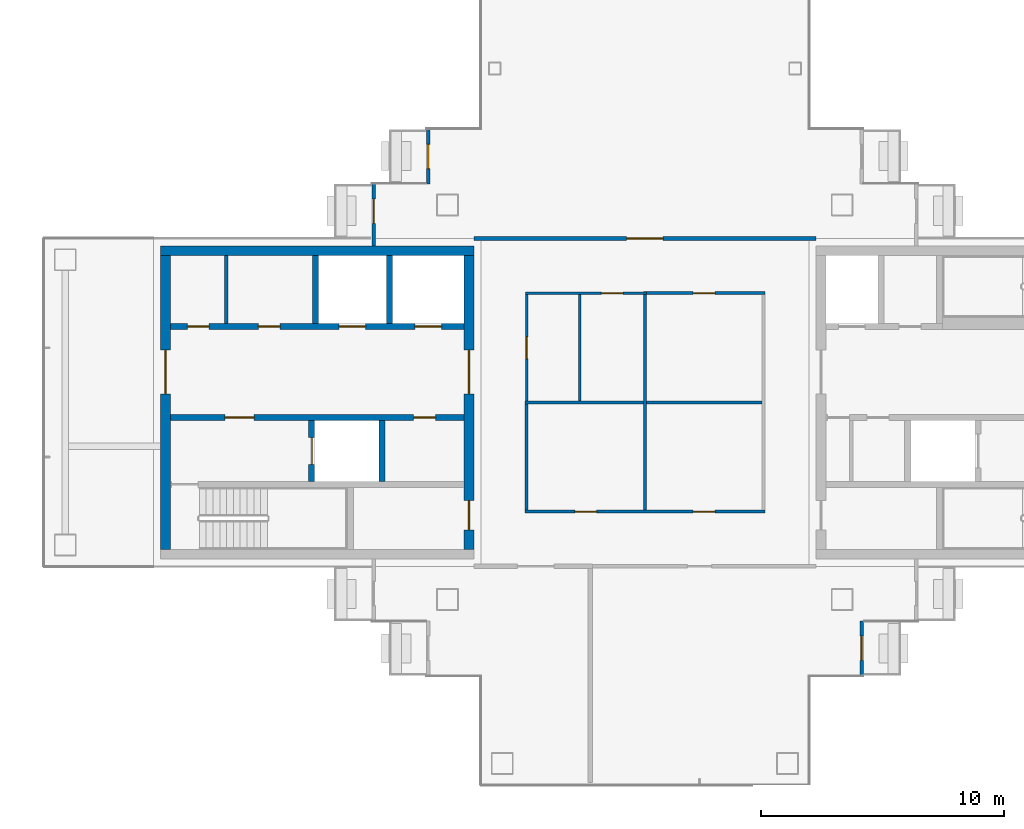
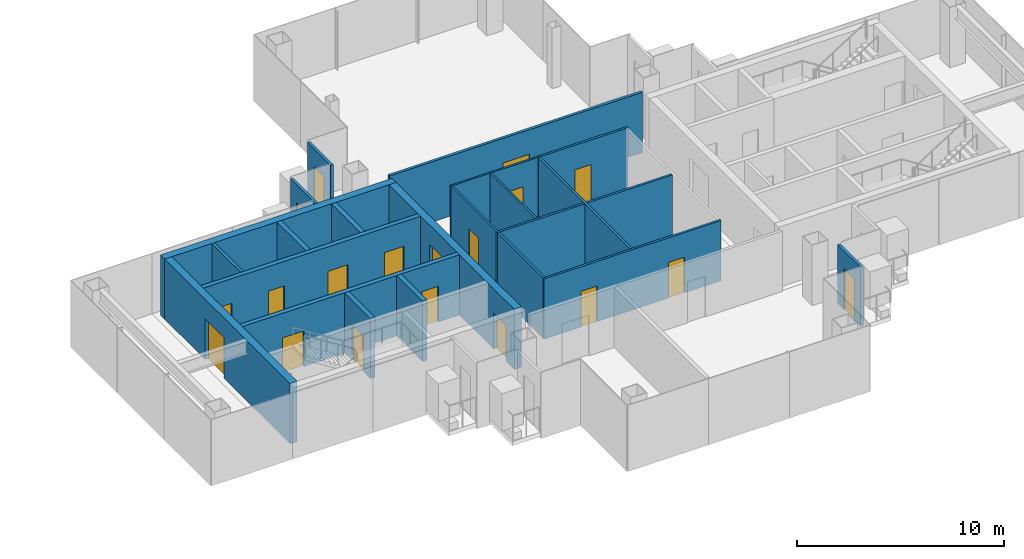
# One storey, part 11 of 17: 22 walls, 19 doors, 19 openings.
"""IFC4 building model written with IfcOpenShell, lengths in metres."""

from ifc_helpers import new_model, si_unit, direction, frame, frame_2d, origin, place, context, subcontext, project, spatial, rectangle, extrude, material, layer, layer_set, type_object, element, fill, save


model = new_model("IFC4")

# Units and contexts
model_context = context("Model", 3, precision=1e-05, world=origin(), true_north=direction((0.0, 1.0)))
body_context = subcontext(model_context, "Body", "Model", "MODEL_VIEW")
ifc_project = project(units=[si_unit("LENGTHUNIT", "METRE"), si_unit("AREAUNIT", "SQUARE_METRE"), si_unit("VOLUMEUNIT", "CUBIC_METRE"), si_unit("PLANEANGLEUNIT", "RADIAN"), si_unit("MASSUNIT", "GRAM", prefix="KILO")], contexts=[model_context])

# Site, building, storey
site_placement = place(None, origin())
site = spatial("IfcSite", under=ifc_project, at=site_placement, CompositionType="ELEMENT")
building_placement = place(site_placement, origin())
building = spatial("IfcBuilding", under=site, at=building_placement, Name="Shamsa Quay Exchange Towers", CompositionType="ELEMENT")
storey_placement = place(building_placement, frame((0.0, 0.0, 257.699951171875)))
storey = spatial("IfcBuildingStorey", under=building, at=storey_placement, Name="L62", CompositionType="ELEMENT", Elevation=257.699951171875)

# Wall, opening, door
ifc_material_1 = material(Name="Aluminium EN AW-6063 T6, black anodised, with black enamelled glass infill", Category="aluminium")
ifc_layer_1 = layer(ifc_material_1, 0.14990234375)
ifc_layer_set_1 = layer_set([ifc_layer_1], Name="BALCONY DOOR BAY WALL 150")
wall_type_1 = type_object("IfcWallType", Name="BALCONY DOOR BAY WALL 150", PredefinedType="SOLIDWALL", material=ifc_layer_set_1)
wall_1_placement = place(storey_placement, frame((24.824951171875, 9.0, 0.0), z_axis=(0.0, 0.0, 1.0), x_axis=(0.0, 1.0, 0.0)))
wall_1 = element("IfcWall", 1, at=wall_1_placement, inside=storey, type_object=wall_type_1, Name="Door bay T2-PKEN L62", PredefinedType="SOLIDWALL", context=body_context, shape_type="SweptSolid", body=[
    extrude(rectangle(XDim=2.25, YDim=0.14990234375, at=frame_2d((1.125, 0.0))), origin(), (0.0, 0.0, 1.0), 3.449951171875),
])
opening_1_placement = place(wall_1_placement, frame((0.625, 0.0, 0.0)))
opening_1 = element("IfcOpeningElement", 2, at=opening_1_placement, cuts=wall_1, Name="Opening XD417", PredefinedType="OPENING", context=body_context, shape_type="SweptSolid", body=[
    extrude(rectangle(XDim=1.0, YDim=2.39990234375, at=frame_2d((0.5, 1.199951171875))), frame((0.0, 0.0849609375, 0.0), z_axis=(0.0, -1.0, 0.0), x_axis=(1.0, 0.0, 0.0)), (0.0, 0.0, 1.0), 0.169921875),
])
ifc_material_2 = material(Name="Aluminium EN AW-6063 T6, black anodised, with laminated glass leaf", Category="aluminium")
door_type_1 = type_object("IfcDoorType", Name="BALCONY DOOR 1000x2400", OperationType="SINGLE_SWING_LEFT", PredefinedType="DOOR", material=ifc_material_2)
door_1_placement = place(opening_1_placement, origin())
door_1 = element("IfcDoor", 3, at=door_1_placement, inside=storey, type_object=door_type_1, Name="Balcony door T2-PKEN L62", OperationType="SINGLE_SWING_RIGHT", OverallHeight=2.39990234375, OverallWidth=1.0, PredefinedType="DOOR", context=body_context, shape_type="SweptSolid", body=[
    extrude(rectangle(XDim=1.0, YDim=2.39990234375, at=frame_2d((0.5, 1.199951171875))), frame((0.0, 0.02490234375, 0.0), z_axis=(0.0, -1.0, 0.0), x_axis=(1.0, 0.0, 0.0)), (0.0, 0.0, 1.0), 0.050048828125),
])
fill(opening_1, door_1)

wall_2_placement = place(storey_placement, frame((22.574951171875, 6.447998046875, 0.0), z_axis=(0.0, 0.0, 1.0), x_axis=(0.0, 1.0, 0.0)))
wall_2 = element("IfcWall", 4, at=wall_2_placement, inside=storey, type_object=wall_type_1, Name="Door bay T2-PKEN L62", PredefinedType="SOLIDWALL", context=body_context, shape_type="SweptSolid", body=[
    extrude(rectangle(XDim=2.552001953125, YDim=0.14990234375, at=frame_2d((1.27587890625, 0.0))), origin(), (0.0, 0.0, 1.0), 3.449951171875),
])
opening_2_placement = place(wall_2_placement, frame((0.927001953125, 0.0, 0.0)))
opening_2 = element("IfcOpeningElement", 5, at=opening_2_placement, cuts=wall_2, Name="Opening XD418", PredefinedType="OPENING", context=body_context, shape_type="SweptSolid", body=[
    extrude(rectangle(XDim=1.0, YDim=2.39990234375, at=frame_2d((0.5, 1.199951171875))), frame((0.0, 0.0849609375, 0.0), z_axis=(0.0, -1.0, 0.0), x_axis=(1.0, 0.0, 0.0)), (0.0, 0.0, 1.0), 0.169921875),
])
door_2_placement = place(opening_2_placement, origin())
door_2 = element("IfcDoor", 6, at=door_2_placement, inside=storey, type_object=door_type_1, Name="Balcony door T2-PKEN L62", OperationType="SINGLE_SWING_LEFT", OverallHeight=2.39990234375, OverallWidth=1.0, PredefinedType="DOOR", context=body_context, shape_type="SweptSolid", body=[
    extrude(rectangle(XDim=1.0, YDim=2.39990234375, at=frame_2d((0.5, 1.199951171875))), frame((0.0, 0.02490234375, 0.0), z_axis=(0.0, -1.0, 0.0), x_axis=(1.0, 0.0, 0.0)), (0.0, 0.0, 1.0), 0.050048828125),
])
fill(opening_2, door_2)

wall_3_placement = place(storey_placement, frame((42.675048828125, -9.0, 0.0), z_axis=(0.0, 0.0, 1.0), x_axis=(0.0, -1.0, 0.0)))
wall_3 = element("IfcWall", 7, at=wall_3_placement, inside=storey, type_object=wall_type_1, Name="Door bay T2-PKWS L62", PredefinedType="SOLIDWALL", context=body_context, shape_type="SweptSolid", body=[
    extrude(rectangle(XDim=2.25, YDim=0.14990234375, at=frame_2d((1.125, 0.0))), origin(), (0.0, 0.0, 1.0), 3.449951171875),
])
opening_3_placement = place(wall_3_placement, frame((0.625, 0.0, 0.0)))
opening_3 = element("IfcOpeningElement", 8, at=opening_3_placement, cuts=wall_3, Name="Opening XD423", PredefinedType="OPENING", context=body_context, shape_type="SweptSolid", body=[
    extrude(rectangle(XDim=1.0, YDim=2.39990234375, at=frame_2d((0.5, 1.199951171875))), frame((0.0, 0.0849609375, 0.0), z_axis=(0.0, -1.0, 0.0), x_axis=(1.0, 0.0, 0.0)), (0.0, 0.0, 1.0), 0.169921875),
])
door_3_placement = place(opening_3_placement, origin())
door_3 = element("IfcDoor", 9, at=door_3_placement, inside=storey, type_object=door_type_1, Name="Balcony door T2-PKWS L62", OperationType="SINGLE_SWING_LEFT", OverallHeight=2.39990234375, OverallWidth=1.0, PredefinedType="DOOR", context=body_context, shape_type="SweptSolid", body=[
    extrude(rectangle(XDim=1.0, YDim=2.39990234375, at=frame_2d((0.5, 1.199951171875))), frame((0.0, 0.02490234375, 0.0), z_axis=(0.0, -1.0, 0.0), x_axis=(1.0, 0.0, 0.0)), (0.0, 0.0, 1.0), 0.050048828125),
])
fill(opening_3, door_3)

# Wall
ifc_material_3 = material(Name="Concrete C60/75", Category="concrete")
ifc_layer_2 = layer(ifc_material_3, 0.39990234375)
ifc_layer_set_2 = layer_set([ifc_layer_2], Name="CORE WALL 400 C60/75")
wall_type_2 = type_object("IfcWallType", Name="CORE WALL 400 C60/75", PredefinedType="SHEAR", material=ifc_layer_set_2)
wall_4_placement = place(storey_placement, frame((13.800048828125, 6.25, 0.0)))
element("IfcWall", 10, at=wall_4_placement, inside=storey, type_object=wall_type_2, Name="Core wall T2A-R28-PN", PredefinedType="SHEAR", context=body_context, shape_type="SweptSolid", body=[
    extrude(rectangle(XDim=12.89990234375, YDim=0.39990234375, at=frame_2d((6.449951171875, 0.0))), origin(), (0.0, 0.0, 1.0), 3.550048828125),
])

# Wall, opening, door
wall_5_placement = place(storey_placement, frame((14.0, 6.050048828125, 0.0), z_axis=(0.0, 0.0, 1.0), x_axis=(0.0, -1.0, 0.0)))
wall_5 = element("IfcWall", 11, at=wall_5_placement, inside=storey, type_object=wall_type_2, Name="Core wall T2A-R28-PF", PredefinedType="SHEAR", context=body_context, shape_type="SweptSolid", body=[
    extrude(rectangle(XDim=12.10009765625, YDim=0.39990234375, at=frame_2d((6.050048828125, 0.0))), origin(), (0.0, 0.0, 1.0), 3.550048828125),
])
opening_4_placement = place(wall_5_placement, frame((3.89990234375, 0.0, 0.0)))
opening_4 = element("IfcOpeningElement", 12, at=opening_4_placement, cuts=wall_5, Name="Opening T2A-R28-LBD01", PredefinedType="OPENING", context=body_context, shape_type="SweptSolid", body=[
    extrude(rectangle(XDim=1.800048828125, YDim=2.39990234375, at=frame_2d((0.89990234375, 1.199951171875))), frame((0.0, 0.2099609375, 0.0), z_axis=(0.0, -1.0, 0.0), x_axis=(1.0, 0.0, 0.0)), (0.0, 0.0, 1.0), 0.419921875),
])
ifc_material_4 = material(Name="Steel, fire rated", Category="steel")
door_type_2 = type_object("IfcDoorType", Name="LIFT LOBBY DOOR PAIR 1800", OperationType="DOUBLE_DOOR_SINGLE_SWING", PredefinedType="DOOR", material=ifc_material_4)
door_4_placement = place(opening_4_placement, origin())
door_4 = element("IfcDoor", 13, at=door_4_placement, inside=storey, type_object=door_type_2, Name="T2A-R28-LBD01", OperationType="DOUBLE_DOOR_SINGLE_SWING", OverallHeight=2.39990234375, OverallWidth=1.800048828125, PredefinedType="DOOR", context=body_context, shape_type="SweptSolid", body=[
    extrude(rectangle(XDim=1.800048828125, YDim=2.39990234375, at=frame_2d((0.89990234375, 1.199951171875))), frame((0.0, 0.02490234375, 0.0), z_axis=(0.0, -1.0, 0.0), x_axis=(1.0, 0.0, 0.0)), (0.0, 0.0, 1.0), 0.050048828125),
])
fill(opening_4, door_4)

# Wall, openings, doors
wall_6_placement = place(storey_placement, frame((26.5, 6.050048828125, 0.0), z_axis=(0.0, 0.0, 1.0), x_axis=(0.0, -1.0, 0.0)))
wall_6 = element("IfcWall", 14, at=wall_6_placement, inside=storey, type_object=wall_type_2, Name="Core wall T2A-R28-PB", PredefinedType="SHEAR", context=body_context, shape_type="SweptSolid", body=[
    extrude(rectangle(XDim=12.10009765625, YDim=0.39990234375, at=frame_2d((6.050048828125, 0.0))), origin(), (0.0, 0.0, 1.0), 3.550048828125),
])
opening_5_placement = place(wall_6_placement, frame((10.10009765625, 0.0, 0.0)))
opening_5 = element("IfcOpeningElement", 15, at=opening_5_placement, cuts=wall_6, Name="Opening T2A-R28-RD02", PredefinedType="OPENING", context=body_context, shape_type="SweptSolid", body=[
    extrude(rectangle(XDim=1.199951171875, YDim=2.10009765625, at=frame_2d((0.60009765625, 1.050048828125))), frame((0.0, 0.2099609375, 0.0), z_axis=(0.0, -1.0, 0.0), x_axis=(1.0, 0.0, 0.0)), (0.0, 0.0, 1.0), 0.419921875),
])
opening_6_placement = place(wall_6_placement, frame((3.89990234375, 0.0, 0.0)))
opening_6 = element("IfcOpeningElement", 16, at=opening_6_placement, cuts=wall_6, Name="Opening T2A-R28-LBD03", PredefinedType="OPENING", context=body_context, shape_type="SweptSolid", body=[
    extrude(rectangle(XDim=1.800048828125, YDim=2.39990234375, at=frame_2d((0.89990234375, 1.199951171875))), frame((0.0, 0.2099609375, 0.0), z_axis=(0.0, -1.0, 0.0), x_axis=(1.0, 0.0, 0.0)), (0.0, 0.0, 1.0), 0.419921875),
])
door_5_placement = place(opening_6_placement, origin())
door_5 = element("IfcDoor", 17, at=door_5_placement, inside=storey, type_object=door_type_2, Name="T2A-R28-LBD03", OperationType="DOUBLE_DOOR_SINGLE_SWING", OverallHeight=2.39990234375, OverallWidth=1.800048828125, PredefinedType="DOOR", context=body_context, shape_type="SweptSolid", body=[
    extrude(rectangle(XDim=1.800048828125, YDim=2.39990234375, at=frame_2d((0.89990234375, 1.199951171875))), frame((0.0, 0.02490234375, 0.0), z_axis=(0.0, -1.0, 0.0), x_axis=(1.0, 0.0, 0.0)), (0.0, 0.0, 1.0), 0.050048828125),
])
fill(opening_6, door_5)
door_type_3 = type_object("IfcDoorType", Name="RISER ACCESS DOOR 1200", OperationType="SINGLE_SWING_LEFT", PredefinedType="DOOR", material=ifc_material_4)
door_6_placement = place(opening_5_placement, origin())
door_6 = element("IfcDoor", 18, at=door_6_placement, inside=storey, type_object=door_type_3, Name="T2A-R28-RD02", OperationType="SINGLE_SWING_RIGHT", OverallHeight=2.10009765625, OverallWidth=1.199951171875, PredefinedType="DOOR", context=body_context, shape_type="SweptSolid", body=[
    extrude(rectangle(XDim=1.199951171875, YDim=2.10009765625, at=frame_2d((0.60009765625, 1.050048828125))), frame((0.0, 0.02490234375, 0.0), z_axis=(0.0, -1.0, 0.0), x_axis=(1.0, 0.0, 0.0)), (0.0, 0.0, 1.0), 0.050048828125),
])
fill(opening_5, door_6)

# Wall
ifc_material_5 = material(Name="Gypsum board on steel studs, EI 60", Category="steel")
ifc_layer_3 = layer(ifc_material_5, 0.14990234375)
ifc_layer_set_3 = layer_set([ifc_layer_3], Name="FIRE PARTITION 150")
wall_type_3 = type_object("IfcWallType", Name="FIRE PARTITION 150", PredefinedType="PARTITIONING", material=ifc_layer_set_3)
wall_7_placement = place(storey_placement, frame((16.5, 3.25, 0.0), z_axis=(0.0, 0.0, 1.0), x_axis=(0.0, 1.0, 0.0)))
element("IfcWall", 19, at=wall_7_placement, inside=storey, type_object=wall_type_3, Name="Partition T2A-R28-FC0", PredefinedType="PARTITIONING", context=body_context, shape_type="SweptSolid", body=[
    extrude(rectangle(XDim=2.800048828125, YDim=0.14990234375, at=frame_2d((1.39990234375, 0.0))), origin(), (0.0, 0.0, 1.0), 3.550048828125),
])

# Wall, openings, doors
ifc_material_6 = material(Name="Laminated fire-resisting glass in a metal frame", Category="glass")
ifc_layer_4 = layer(ifc_material_6, 0.125)
ifc_layer_set_4 = layer_set([ifc_layer_4], Name="Glazed partition 125 mm EI 60")
wall_type_4 = type_object("IfcWallType", Name="Glazed partition 125 mm EI 60", PredefinedType="PARTITIONING", material=ifc_layer_set_4)
wall_8_placement = place(storey_placement, frame((28.8125, -4.5, 0.0)))
wall_8 = element("IfcWall", 20, at=wall_8_placement, inside=storey, type_object=wall_type_4, Name="Partition T2-R28-W03", PredefinedType="PARTITIONING", context=body_context, shape_type="SweptSolid", body=[
    extrude(rectangle(XDim=9.875, YDim=0.125, at=frame_2d((4.9375, 0.0))), origin(), (0.0, 0.0, 1.0), 3.550048828125),
])
opening_7_placement = place(wall_8_placement, frame((6.925048828125, 0.0, 0.0)))
opening_7 = element("IfcOpeningElement", 21, at=opening_7_placement, cuts=wall_8, Name="Opening T2-R28-D02", PredefinedType="OPENING", context=body_context, shape_type="SweptSolid", body=[
    extrude(rectangle(XDim=0.89990234375, YDim=2.10009765625, at=frame_2d((0.449951171875, 1.050048828125))), frame((0.0, 0.072509765625, 0.0), z_axis=(0.0, -1.0, 0.0), x_axis=(1.0, 0.0, 0.0)), (0.0, 0.0, 1.0), 0.14501953125),
])
opening_8_placement = place(wall_8_placement, frame((2.050048828125, 0.0, 0.0)))
opening_8 = element("IfcOpeningElement", 22, at=opening_8_placement, cuts=wall_8, Name="Opening T2-R28-D03", PredefinedType="OPENING", context=body_context, shape_type="SweptSolid", body=[
    extrude(rectangle(XDim=0.89990234375, YDim=2.10009765625, at=frame_2d((0.449951171875, 1.050048828125))), frame((0.0, 0.072509765625, 0.0), z_axis=(0.0, -1.0, 0.0), x_axis=(1.0, 0.0, 0.0)), (0.0, 0.0, 1.0), 0.14501953125),
])
ifc_material_7 = material(Name="Timber door leaf in a metal frame", Category="wood")
door_type_4 = type_object("IfcDoorType", Name="Door 900x2100 FD30S", OperationType="NOTDEFINED", PredefinedType="DOOR", material=ifc_material_7)
door_7_placement = place(opening_7_placement, origin())
door_7 = element("IfcDoor", 23, at=door_7_placement, inside=storey, type_object=door_type_4, Name="Door T2-R28-D02", OperationType="SINGLE_SWING_LEFT", OverallHeight=2.10009765625, OverallWidth=0.89990234375, PredefinedType="DOOR", context=body_context, shape_type="SweptSolid", body=[
    extrude(rectangle(XDim=0.89990234375, YDim=2.10009765625, at=frame_2d((0.449951171875, 1.050048828125))), frame((0.0, 0.02490234375, 0.0), z_axis=(0.0, -1.0, 0.0), x_axis=(1.0, 0.0, 0.0)), (0.0, 0.0, 1.0), 0.050048828125),
])
fill(opening_7, door_7)
door_8_placement = place(opening_8_placement, origin())
door_8 = element("IfcDoor", 24, at=door_8_placement, inside=storey, type_object=door_type_4, Name="Door T2-R28-D03", OperationType="SINGLE_SWING_LEFT", OverallHeight=2.10009765625, OverallWidth=0.89990234375, PredefinedType="DOOR", context=body_context, shape_type="SweptSolid", body=[
    extrude(rectangle(XDim=0.89990234375, YDim=2.10009765625, at=frame_2d((0.449951171875, 1.050048828125))), frame((0.0, 0.02490234375, 0.0), z_axis=(0.0, -1.0, 0.0), x_axis=(1.0, 0.0, 0.0)), (0.0, 0.0, 1.0), 0.050048828125),
])
fill(opening_8, door_8)

# Wall
wall_9_placement = place(storey_placement, frame((28.875, -0.0625, 0.0), z_axis=(0.0, 0.0, 1.0), x_axis=(0.0, -1.0, 0.0)))
element("IfcWall", 25, at=wall_9_placement, inside=storey, type_object=wall_type_4, Name="Partition T2-R28-W04", PredefinedType="PARTITIONING", context=body_context, shape_type="SweptSolid", body=[
    extrude(rectangle(XDim=4.375, YDim=0.125, at=frame_2d((2.1875, 0.0))), origin(), (0.0, 0.0, 1.0), 3.550048828125),
])

# Wall, opening, door
wall_10_placement = place(storey_placement, frame((38.6875, 4.5, 0.0), z_axis=(0.0, 0.0, 1.0), x_axis=(-1.0, 0.0, 0.0)))
wall_10 = element("IfcWall", 26, at=wall_10_placement, inside=storey, type_object=wall_type_4, Name="Partition T2-R28-W06", PredefinedType="PARTITIONING", context=body_context, shape_type="SweptSolid", body=[
    extrude(rectangle(XDim=5.0, YDim=0.125, at=frame_2d((2.5, 0.0))), origin(), (0.0, 0.0, 1.0), 3.550048828125),
])
opening_9_placement = place(wall_10_placement, frame((2.050048828125, 0.0, 0.0)))
opening_9 = element("IfcOpeningElement", 27, at=opening_9_placement, cuts=wall_10, Name="Opening T2-R28-D04", PredefinedType="OPENING", context=body_context, shape_type="SweptSolid", body=[
    extrude(rectangle(XDim=0.89990234375, YDim=2.10009765625, at=frame_2d((0.449951171875, 1.050048828125))), frame((0.0, 0.072509765625, 0.0), z_axis=(0.0, -1.0, 0.0), x_axis=(1.0, 0.0, 0.0)), (0.0, 0.0, 1.0), 0.14501953125),
])
door_9_placement = place(opening_9_placement, origin())
door_9 = element("IfcDoor", 28, at=door_9_placement, inside=storey, type_object=door_type_4, Name="Door T2-R28-D04", OperationType="SINGLE_SWING_LEFT", OverallHeight=2.10009765625, OverallWidth=0.89990234375, PredefinedType="DOOR", context=body_context, shape_type="SweptSolid", body=[
    extrude(rectangle(XDim=0.89990234375, YDim=2.10009765625, at=frame_2d((0.449951171875, 1.050048828125))), frame((0.0, 0.02490234375, 0.0), z_axis=(0.0, -1.0, 0.0), x_axis=(1.0, 0.0, 0.0)), (0.0, 0.0, 1.0), 0.050048828125),
])
fill(opening_9, door_9)

# Walls
wall_11_placement = place(storey_placement, frame((28.8125, 0.0, 0.0)))
element("IfcWall", 29, at=wall_11_placement, inside=storey, type_object=wall_type_4, Name="Partition T2-R28-W11", PredefinedType="PARTITIONING", context=body_context, shape_type="SweptSolid", body=[
    extrude(rectangle(XDim=9.75, YDim=0.125, at=frame_2d((4.875, 0.0))), origin(), (0.0, 0.0, 1.0), 3.550048828125),
])
wall_12_placement = place(storey_placement, frame((33.75, -4.4375, 0.0), z_axis=(0.0, 0.0, 1.0), x_axis=(0.0, 1.0, 0.0)))
element("IfcWall", 30, at=wall_12_placement, inside=storey, type_object=wall_type_4, Name="Partition T2-R28-W12", PredefinedType="PARTITIONING", context=body_context, shape_type="SweptSolid", body=[
    extrude(rectangle(XDim=8.875, YDim=0.125, at=frame_2d((4.4375, 0.0))), origin(), (0.0, 0.0, 1.0), 3.550048828125),
])

# Wall, opening, door
ifc_material_8 = material(Name="Gypsum board partition on metal studs")
ifc_layer_5 = layer(ifc_material_8, 0.10009765625)
ifc_layer_set_5 = layer_set([ifc_layer_5], Name="Partition 100 mm NOT RATED")
wall_type_5 = type_object("IfcWallType", Name="Partition 100 mm NOT RATED", PredefinedType="PARTITIONING", material=ifc_layer_set_5)
wall_13_placement = place(storey_placement, frame((33.8125, 4.5, 0.0), z_axis=(0.0, 0.0, 1.0), x_axis=(-1.0, 0.0, 0.0)))
wall_13 = element("IfcWall", 31, at=wall_13_placement, inside=storey, type_object=wall_type_5, Name="Partition T2-R28-W01", PredefinedType="PARTITIONING", context=body_context, shape_type="SweptSolid", body=[
    extrude(rectangle(XDim=4.987548828125, YDim=0.10009765625, at=frame_2d((2.49365234375, 0.0))), origin(), (0.0, 0.0, 1.0), 3.550048828125),
])
opening_10_placement = place(wall_13_placement, frame((0.956298828125, 0.0, 0.0)))
opening_10 = element("IfcOpeningElement", 32, at=opening_10_placement, cuts=wall_13, Name="Opening T2-R28-D07", PredefinedType="OPENING", context=body_context, shape_type="SweptSolid", body=[
    extrude(rectangle(XDim=0.89990234375, YDim=2.10009765625, at=frame_2d((0.449951171875, 1.050048828125))), frame((0.0, 0.06005859375, 0.0), z_axis=(0.0, -1.0, 0.0), x_axis=(1.0, 0.0, 0.0)), (0.0, 0.0, 1.0), 0.1201171875),
])
door_type_5 = type_object("IfcDoorType", Name="Door 900x2100 NOT RATED", OperationType="NOTDEFINED", PredefinedType="DOOR", material=ifc_material_7)
door_10_placement = place(opening_10_placement, origin())
door_10 = element("IfcDoor", 33, at=door_10_placement, inside=storey, type_object=door_type_5, Name="Door T2-R28-D07", OperationType="SINGLE_SWING_LEFT", OverallHeight=2.10009765625, OverallWidth=0.89990234375, PredefinedType="DOOR", context=body_context, shape_type="SweptSolid", body=[
    extrude(rectangle(XDim=0.89990234375, YDim=2.10009765625, at=frame_2d((0.449951171875, 1.050048828125))), frame((0.0, 0.02490234375, 0.0), z_axis=(0.0, -1.0, 0.0), x_axis=(1.0, 0.0, 0.0)), (0.0, 0.0, 1.0), 0.050048828125),
])
fill(opening_10, door_10)

wall_14_placement = place(storey_placement, frame((28.875, 4.449951171875, 0.0), z_axis=(0.0, 0.0, 1.0), x_axis=(0.0, -1.0, 0.0)))
wall_14 = element("IfcWall", 34, at=wall_14_placement, inside=storey, type_object=wall_type_5, Name="Partition T2-R28-W02", PredefinedType="PARTITIONING", context=body_context, shape_type="SweptSolid", body=[
    extrude(rectangle(XDim=4.387451171875, YDim=0.10009765625, at=frame_2d((2.19384765625, 0.0))), origin(), (0.0, 0.0, 1.0), 3.550048828125),
])
opening_11_placement = place(wall_14_placement, frame((1.75, 0.0, 0.0)))
opening_11 = element("IfcOpeningElement", 35, at=opening_11_placement, cuts=wall_14, Name="Opening T2-R28-D06", PredefinedType="OPENING", context=body_context, shape_type="SweptSolid", body=[
    extrude(rectangle(XDim=0.89990234375, YDim=2.10009765625, at=frame_2d((0.449951171875, 1.050048828125))), frame((0.0, 0.06005859375, 0.0), z_axis=(0.0, -1.0, 0.0), x_axis=(1.0, 0.0, 0.0)), (0.0, 0.0, 1.0), 0.1201171875),
])
door_11_placement = place(opening_11_placement, origin())
door_11 = element("IfcDoor", 36, at=door_11_placement, inside=storey, type_object=door_type_5, Name="Door T2-R28-D06", OperationType="SINGLE_SWING_RIGHT", OverallHeight=2.10009765625, OverallWidth=0.89990234375, PredefinedType="DOOR", context=body_context, shape_type="SweptSolid", body=[
    extrude(rectangle(XDim=0.89990234375, YDim=2.10009765625, at=frame_2d((0.449951171875, 1.050048828125))), frame((0.0, 0.02490234375, 0.0), z_axis=(0.0, -1.0, 0.0), x_axis=(1.0, 0.0, 0.0)), (0.0, 0.0, 1.0), 0.050048828125),
])
fill(opening_11, door_11)

# Wall
wall_15_placement = place(storey_placement, frame((31.0625, 4.449951171875, 0.0), z_axis=(0.0, 0.0, 1.0), x_axis=(0.0, -1.0, 0.0)))
element("IfcWall", 37, at=wall_15_placement, inside=storey, type_object=wall_type_5, Name="Partition T2-R28-W10", PredefinedType="PARTITIONING", context=body_context, shape_type="SweptSolid", body=[
    extrude(rectangle(XDim=4.387451171875, YDim=0.10009765625, at=frame_2d((2.19384765625, 0.0))), origin(), (0.0, 0.0, 1.0), 3.550048828125),
])

# Wall, opening, door
ifc_layer_6 = layer(ifc_material_8, 0.14990234375)
ifc_layer_set_6 = layer_set([ifc_layer_6], Name="Partition 150 mm EI 60")
wall_type_6 = type_object("IfcWallType", Name="Partition 150 mm EI 60", PredefinedType="PARTITIONING", material=ifc_layer_set_6)
wall_16_placement = place(storey_placement, frame((26.699951171875, 6.75, 0.0)))
wall_16 = element("IfcWall", 38, at=wall_16_placement, inside=storey, type_object=wall_type_6, Name="Partition T2-R28-W07", PredefinedType="PARTITIONING", context=body_context, shape_type="SweptSolid", body=[
    extrude(rectangle(XDim=14.10009765625, YDim=0.14990234375, at=frame_2d((7.050048828125, 0.0))), origin(), (0.0, 0.0, 1.0), 3.550048828125),
])
opening_12_placement = place(wall_16_placement, frame((6.300048828125, 0.0, 0.0)))
opening_12 = element("IfcOpeningElement", 39, at=opening_12_placement, cuts=wall_16, Name="Opening T2-R28-D01", PredefinedType="OPENING", context=body_context, shape_type="SweptSolid", body=[
    extrude(rectangle(XDim=1.5, YDim=2.10009765625, at=frame_2d((0.75, 1.050048828125))), frame((0.0, 0.0849609375, 0.0), z_axis=(0.0, -1.0, 0.0), x_axis=(1.0, 0.0, 0.0)), (0.0, 0.0, 1.0), 0.169921875),
])
door_type_6 = type_object("IfcDoorType", Name="Door 1500x2100 FD30S pair", OperationType="NOTDEFINED", PredefinedType="DOOR", material=ifc_material_7)
door_12_placement = place(opening_12_placement, origin())
door_12 = element("IfcDoor", 40, at=door_12_placement, inside=storey, type_object=door_type_6, Name="Door T2-R28-D01", OperationType="DOUBLE_DOOR_SINGLE_SWING", OverallHeight=2.10009765625, OverallWidth=1.5, PredefinedType="DOOR", context=body_context, shape_type="SweptSolid", body=[
    extrude(rectangle(XDim=1.5, YDim=2.10009765625, at=frame_2d((0.75, 1.050048828125))), frame((0.0, 0.02490234375, 0.0), z_axis=(0.0, -1.0, 0.0), x_axis=(1.0, 0.0, 0.0)), (0.0, 0.0, 1.0), 0.050048828125),
])
fill(opening_12, door_12)

# Wall, openings, doors
ifc_material_9 = material(Name="Concrete C50/60", Category="concrete")
ifc_layer_7 = layer(ifc_material_9, 0.25)
ifc_layer_set_7 = layer_set([ifc_layer_7], Name="SHAFT WALL 250 C50/60")
wall_type_7 = type_object("IfcWallType", Name="SHAFT WALL 250 C50/60", PredefinedType="SHEAR", material=ifc_layer_set_7)
wall_17_placement = place(storey_placement, frame((26.300048828125, -0.625, 0.0), z_axis=(0.0, 0.0, 1.0), x_axis=(-1.0, 0.0, 0.0)))
wall_17 = element("IfcWall", 41, at=wall_17_placement, inside=storey, type_object=wall_type_7, Name="Shaft wall T2A-R28-B", PredefinedType="SHEAR", context=body_context, shape_type="SweptSolid", body=[
    extrude(rectangle(XDim=12.10009765625, YDim=0.25, at=frame_2d((6.050048828125, 0.0))), origin(), (0.0, 0.0, 1.0), 3.550048828125),
])
opening_13_placement = place(wall_17_placement, frame((8.64990234375, 0.0, 0.0)))
opening_13 = element("IfcOpeningElement", 42, at=opening_13_placement, cuts=wall_17, Name="Opening T2A-R28-FD05", PredefinedType="OPENING", context=body_context, shape_type="SweptSolid", body=[
    extrude(rectangle(XDim=1.199951171875, YDim=2.10009765625, at=frame_2d((0.60009765625, 1.050048828125))), frame((0.0, 0.135009765625, 0.0), z_axis=(0.0, -1.0, 0.0), x_axis=(1.0, 0.0, 0.0)), (0.0, 0.0, 1.0), 0.27001953125),
])
opening_14_placement = place(wall_17_placement, frame((1.175048828125, 0.0, 0.0)))
opening_14 = element("IfcOpeningElement", 43, at=opening_14_placement, cuts=wall_17, Name="Opening T2A-R28-SV06", PredefinedType="OPENING", context=body_context, shape_type="SweptSolid", body=[
    extrude(rectangle(XDim=0.89990234375, YDim=2.10009765625, at=frame_2d((0.449951171875, 1.050048828125))), frame((0.0, 0.135009765625, 0.0), z_axis=(0.0, -1.0, 0.0), x_axis=(1.0, 0.0, 0.0)), (0.0, 0.0, 1.0), 0.27001953125),
])
door_type_7 = type_object("IfcDoorType", Name="FIRE SERVICE LOBBY DOOR 1200", OperationType="SINGLE_SWING_LEFT", PredefinedType="DOOR", material=ifc_material_4)
door_13_placement = place(opening_13_placement, origin())
door_13 = element("IfcDoor", 44, at=door_13_placement, inside=storey, type_object=door_type_7, Name="T2A-R28-FD05", OperationType="SINGLE_SWING_RIGHT", OverallHeight=2.10009765625, OverallWidth=1.199951171875, PredefinedType="DOOR", context=body_context, shape_type="SweptSolid", body=[
    extrude(rectangle(XDim=1.199951171875, YDim=2.10009765625, at=frame_2d((0.60009765625, 1.050048828125))), frame((0.0, 0.02490234375, 0.0), z_axis=(0.0, -1.0, 0.0), x_axis=(1.0, 0.0, 0.0)), (0.0, 0.0, 1.0), 0.050048828125),
])
fill(opening_13, door_13)
door_type_8 = type_object("IfcDoorType", Name="SERVICE ROOM DOOR 900", OperationType="SINGLE_SWING_LEFT", PredefinedType="DOOR", material=ifc_material_4)
door_14_placement = place(opening_14_placement, origin())
door_14 = element("IfcDoor", 45, at=door_14_placement, inside=storey, type_object=door_type_8, Name="T2A-R28-SV06", OperationType="SINGLE_SWING_LEFT", OverallHeight=2.10009765625, OverallWidth=0.89990234375, PredefinedType="DOOR", context=body_context, shape_type="SweptSolid", body=[
    extrude(rectangle(XDim=0.89990234375, YDim=2.10009765625, at=frame_2d((0.449951171875, 1.050048828125))), frame((0.0, 0.02490234375, 0.0), z_axis=(0.0, -1.0, 0.0), x_axis=(1.0, 0.0, 0.0)), (0.0, 0.0, 1.0), 0.050048828125),
])
fill(opening_14, door_14)

# Wall, opening, door
wall_18_placement = place(storey_placement, frame((20.02490234375, -3.25, 0.0), z_axis=(0.0, 0.0, 1.0), x_axis=(0.0, 1.0, 0.0)))
wall_18 = element("IfcWall", 46, at=wall_18_placement, inside=storey, type_object=wall_type_7, Name="Shaft wall T2A-R28-FFF", PredefinedType="SHEAR", context=body_context, shape_type="SweptSolid", body=[
    extrude(rectangle(XDim=2.5, YDim=0.25, at=frame_2d((1.25, 0.0))), origin(), (0.0, 0.0, 1.0), 3.550048828125),
])
opening_15_placement = place(wall_18_placement, frame((0.699951171875, 0.0, 0.0)))
opening_15 = element("IfcOpeningElement", 47, at=opening_15_placement, cuts=wall_18, Name="Opening T2A-R28-LDF07", PredefinedType="OPENING", context=body_context, shape_type="SweptSolid", body=[
    extrude(rectangle(XDim=1.10009765625, YDim=2.10009765625, at=frame_2d((0.550048828125, 1.050048828125))), frame((0.0, 0.135009765625, 0.0), z_axis=(0.0, -1.0, 0.0), x_axis=(1.0, 0.0, 0.0)), (0.0, 0.0, 1.0), 0.27001953125),
])
door_type_9 = type_object("IfcDoorType", Name="FIRE SERVICE LANDING DOOR 1100", OperationType="SLIDING_TO_LEFT", PredefinedType="DOOR", material=ifc_material_4)
door_15_placement = place(opening_15_placement, origin())
door_15 = element("IfcDoor", 48, at=door_15_placement, inside=storey, type_object=door_type_9, Name="T2A-R28-LDF07", OperationType="SLIDING_TO_LEFT", OverallHeight=2.10009765625, OverallWidth=1.10009765625, PredefinedType="DOOR", context=body_context, shape_type="SweptSolid", body=[
    extrude(rectangle(XDim=1.10009765625, YDim=2.10009765625, at=frame_2d((0.550048828125, 1.050048828125))), frame((0.0, 0.02490234375, 0.0), z_axis=(0.0, -1.0, 0.0), x_axis=(1.0, 0.0, 0.0)), (0.0, 0.0, 1.0), 0.050048828125),
])
fill(opening_15, door_15)

# Wall
wall_19_placement = place(storey_placement, frame((22.925048828125, -3.25, 0.0), z_axis=(0.0, 0.0, 1.0), x_axis=(0.0, 1.0, 0.0)))
element("IfcWall", 49, at=wall_19_placement, inside=storey, type_object=wall_type_7, Name="Shaft wall T2A-R28-FFB", PredefinedType="SHEAR", context=body_context, shape_type="SweptSolid", body=[
    extrude(rectangle(XDim=2.5, YDim=0.25, at=frame_2d((1.25, 0.0))), origin(), (0.0, 0.0, 1.0), 3.550048828125),
])

# Wall, openings, doors
wall_20_placement = place(storey_placement, frame((14.199951171875, 3.125, 0.0)))
wall_20 = element("IfcWall", 50, at=wall_20_placement, inside=storey, type_object=wall_type_7, Name="Shaft wall T2A-R28-N", PredefinedType="SHEAR", context=body_context, shape_type="SweptSolid", body=[
    extrude(rectangle(XDim=12.10009765625, YDim=0.25, at=frame_2d((6.050048828125, 0.0))), origin(), (0.0, 0.0, 1.0), 3.550048828125),
])
opening_16_placement = place(wall_20_placement, frame((6.949951171875, 0.0, 0.0)))
opening_16 = element("IfcOpeningElement", 51, at=opening_16_placement, cuts=wall_20, Name="Opening T2A-R28-LD08", PredefinedType="OPENING", context=body_context, shape_type="SweptSolid", body=[
    extrude(rectangle(XDim=1.10009765625, YDim=2.10009765625, at=frame_2d((0.550048828125, 1.050048828125))), frame((0.0, 0.135009765625, 0.0), z_axis=(0.0, -1.0, 0.0), x_axis=(1.0, 0.0, 0.0)), (0.0, 0.0, 1.0), 0.27001953125),
])
opening_17_placement = place(wall_20_placement, frame((10.074951171875, 0.0, 0.0)))
opening_17 = element("IfcOpeningElement", 52, at=opening_17_placement, cuts=wall_20, Name="Opening T2A-R28-LD09", PredefinedType="OPENING", context=body_context, shape_type="SweptSolid", body=[
    extrude(rectangle(XDim=1.10009765625, YDim=2.10009765625, at=frame_2d((0.550048828125, 1.050048828125))), frame((0.0, 0.135009765625, 0.0), z_axis=(0.0, -1.0, 0.0), x_axis=(1.0, 0.0, 0.0)), (0.0, 0.0, 1.0), 0.27001953125),
])
opening_18_placement = place(wall_20_placement, frame((0.699951171875, 0.0, 0.0)))
opening_18 = element("IfcOpeningElement", 53, at=opening_18_placement, cuts=wall_20, Name="Opening T2A-R28-SV10", PredefinedType="OPENING", context=body_context, shape_type="SweptSolid", body=[
    extrude(rectangle(XDim=0.89990234375, YDim=2.10009765625, at=frame_2d((0.449951171875, 1.050048828125))), frame((0.0, 0.135009765625, 0.0), z_axis=(0.0, -1.0, 0.0), x_axis=(1.0, 0.0, 0.0)), (0.0, 0.0, 1.0), 0.27001953125),
])
opening_19_placement = place(wall_20_placement, frame((3.625, 0.0, 0.0)))
opening_19 = element("IfcOpeningElement", 54, at=opening_19_placement, cuts=wall_20, Name="Opening T2A-R28-SV11", PredefinedType="OPENING", context=body_context, shape_type="SweptSolid", body=[
    extrude(rectangle(XDim=0.89990234375, YDim=2.10009765625, at=frame_2d((0.449951171875, 1.050048828125))), frame((0.0, 0.135009765625, 0.0), z_axis=(0.0, -1.0, 0.0), x_axis=(1.0, 0.0, 0.0)), (0.0, 0.0, 1.0), 0.27001953125),
])
door_type_10 = type_object("IfcDoorType", Name="LANDING DOOR 1100", OperationType="SLIDING_TO_LEFT", PredefinedType="DOOR", material=ifc_material_4)
door_16_placement = place(opening_16_placement, origin())
door_16 = element("IfcDoor", 55, at=door_16_placement, inside=storey, type_object=door_type_10, Name="T2A-R28-LD08", OperationType="SLIDING_TO_LEFT", OverallHeight=2.10009765625, OverallWidth=1.10009765625, PredefinedType="DOOR", context=body_context, shape_type="SweptSolid", body=[
    extrude(rectangle(XDim=1.10009765625, YDim=2.10009765625, at=frame_2d((0.550048828125, 1.050048828125))), frame((0.0, 0.02490234375, 0.0), z_axis=(0.0, -1.0, 0.0), x_axis=(1.0, 0.0, 0.0)), (0.0, 0.0, 1.0), 0.050048828125),
])
fill(opening_16, door_16)
door_17_placement = place(opening_17_placement, origin())
door_17 = element("IfcDoor", 56, at=door_17_placement, inside=storey, type_object=door_type_10, Name="T2A-R28-LD09", OperationType="SLIDING_TO_LEFT", OverallHeight=2.10009765625, OverallWidth=1.10009765625, PredefinedType="DOOR", context=body_context, shape_type="SweptSolid", body=[
    extrude(rectangle(XDim=1.10009765625, YDim=2.10009765625, at=frame_2d((0.550048828125, 1.050048828125))), frame((0.0, 0.02490234375, 0.0), z_axis=(0.0, -1.0, 0.0), x_axis=(1.0, 0.0, 0.0)), (0.0, 0.0, 1.0), 0.050048828125),
])
fill(opening_17, door_17)
door_18_placement = place(opening_18_placement, origin())
door_18 = element("IfcDoor", 57, at=door_18_placement, inside=storey, type_object=door_type_8, Name="T2A-R28-SV10", OperationType="SINGLE_SWING_LEFT", OverallHeight=2.10009765625, OverallWidth=0.89990234375, PredefinedType="DOOR", context=body_context, shape_type="SweptSolid", body=[
    extrude(rectangle(XDim=0.89990234375, YDim=2.10009765625, at=frame_2d((0.449951171875, 1.050048828125))), frame((0.0, 0.02490234375, 0.0), z_axis=(0.0, -1.0, 0.0), x_axis=(1.0, 0.0, 0.0)), (0.0, 0.0, 1.0), 0.050048828125),
])
fill(opening_18, door_18)
door_19_placement = place(opening_19_placement, origin())
door_19 = element("IfcDoor", 58, at=door_19_placement, inside=storey, type_object=door_type_8, Name="T2A-R28-SV11", OperationType="SINGLE_SWING_LEFT", OverallHeight=2.10009765625, OverallWidth=0.89990234375, PredefinedType="DOOR", context=body_context, shape_type="SweptSolid", body=[
    extrude(rectangle(XDim=0.89990234375, YDim=2.10009765625, at=frame_2d((0.449951171875, 1.050048828125))), frame((0.0, 0.02490234375, 0.0), z_axis=(0.0, -1.0, 0.0), x_axis=(1.0, 0.0, 0.0)), (0.0, 0.0, 1.0), 0.050048828125),
])
fill(opening_19, door_19)

# Walls
for number, where, z_axis, x_axis, name in (
    (59, (20.175048828125, 3.25, 0.0), (0.0, 0.0, 1.0), (0.0, 1.0, 0.0), "Shaft wall T2A-R28-D1"),
    (60, (23.22509765625, 3.25, 0.0), (0.0, 0.0, 1.0), (0.0, 1.0, 0.0), "Shaft wall T2A-R28-D2"),
):
    element("IfcWall", number, at=place(storey_placement, frame(where, z_axis=z_axis, x_axis=x_axis)), inside=storey, type_object=wall_type_7, Name=name, PredefinedType="SHEAR", context=body_context, shape_type="SweptSolid", body=[
        extrude(rectangle(XDim=2.800048828125, YDim=0.25, at=frame_2d((1.39990234375, 0.0))), origin(), (0.0, 0.0, 1.0), 3.550048828125),
    ])

save(model, "model.ifc")
